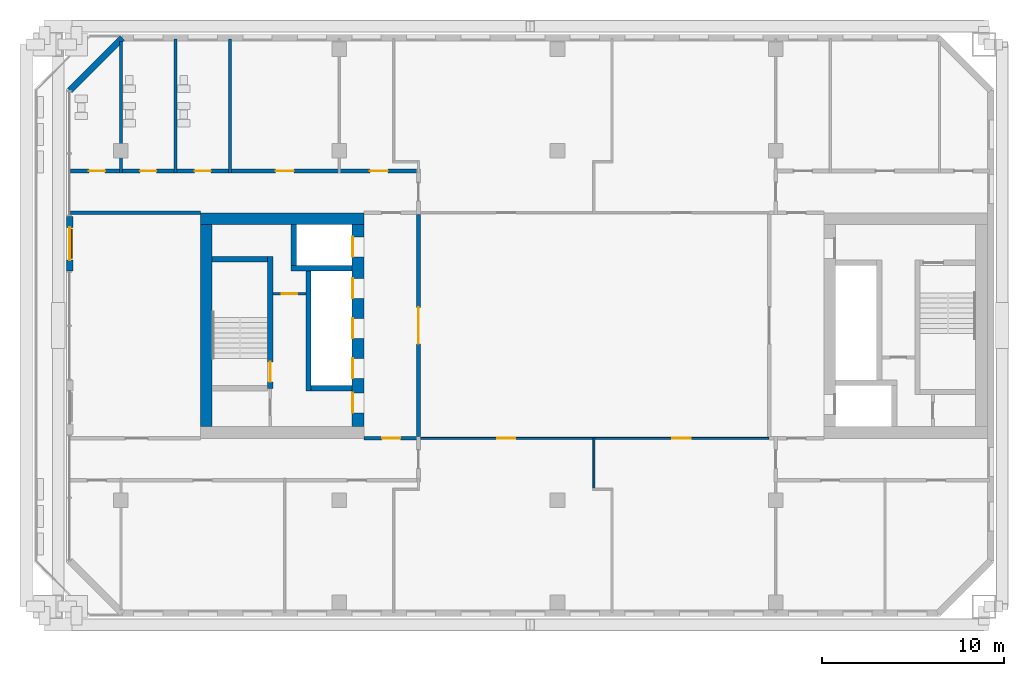
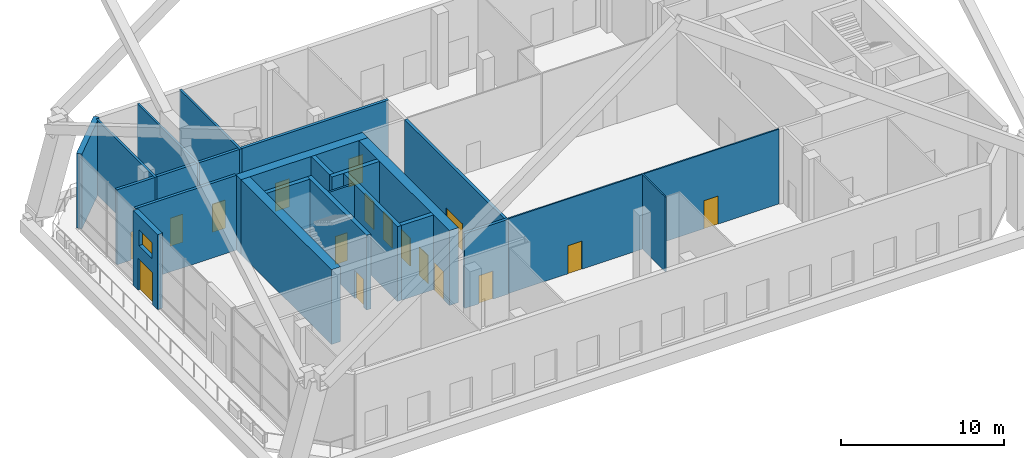
# One storey, part 10 of 20: 21 walls, 17 doors, 1 window, 18 openings.
"""IFC4 building model written with IfcOpenShell, lengths in metres."""

from ifc_helpers import new_model, si_unit, direction, frame, frame_2d, origin, place, context, subcontext, project, spatial, rectangle, extrude, material, layer, layer_set, type_object, element, fill, save


model = new_model("IFC4")

# Units and contexts
model_context = context("Model", 3, precision=1e-05, world=origin(), true_north=direction((0.0, 1.0)))
body_context = subcontext(model_context, "Body", "Model", "MODEL_VIEW")
ifc_project = project(units=[si_unit("LENGTHUNIT", "METRE"), si_unit("AREAUNIT", "SQUARE_METRE"), si_unit("VOLUMEUNIT", "CUBIC_METRE"), si_unit("PLANEANGLEUNIT", "RADIAN"), si_unit("MASSUNIT", "GRAM", prefix="KILO")], contexts=[model_context])

# Site, building, storey
site_placement = place(None, origin())
site = spatial("IfcSite", under=ifc_project, at=site_placement, CompositionType="ELEMENT")
building_placement = place(site_placement, origin())
building = spatial("IfcBuilding", under=site, at=building_placement, Name="Tuart Gate Housing", CompositionType="ELEMENT")
storey_placement = place(building_placement, frame((0.0, 0.0, 90.199951171875)))
storey = spatial("IfcBuildingStorey", under=building, at=storey_placement, Name="L25", CompositionType="ELEMENT", Elevation=90.199951171875)

# Walls
ifc_material_1 = material(Name="Gypsum board on steel studs", Category="steel")
ifc_layer_1 = layer(ifc_material_1, 0.14990234375)
ifc_layer_set_1 = layer_set([ifc_layer_1], Name="Bathroom wall 150")
wall_type_1 = type_object("IfcWallType", Name="Bathroom wall 150", PredefinedType="PLUMBINGWALL", material=ifc_layer_set_1)
wall_1_placement = place(storey_placement, frame((28.0, 78.39990234375, 0.0), z_axis=(0.0, 0.0, 1.0), x_axis=(0.0, 1.0, 0.0)))
element("IfcWall", 1, at=wall_1_placement, inside=storey, type_object=wall_type_1, Name="Bathroom wall 150", PredefinedType="PLUMBINGWALL", context=body_context, shape_type="SweptSolid", body=[
    extrude(rectangle(XDim=7.211181640625, YDim=0.14990234375, at=frame_2d((3.60546875, 0.0))), origin(), (0.0, 0.0, 1.0), 5.60009765625),
])
for number, where, z_axis, x_axis, name in (
    (2, (31.0, 78.39990234375, 0.0), (0.0, 0.0, 1.0), (0.0, 1.0, 0.0), "Bathroom wall 150"),
    (3, (34.0, 78.39990234375, 0.0), (0.0, 0.0, 1.0), (0.0, 1.0, 0.0), "Bathroom wall 150"),
):
    element("IfcWall", number, at=place(storey_placement, frame(where, z_axis=z_axis, x_axis=x_axis)), inside=storey, type_object=wall_type_1, Name=name, PredefinedType="PLUMBINGWALL", context=body_context, shape_type="SweptSolid", body=[
        extrude(rectangle(XDim=7.360107421875, YDim=0.14990234375, at=frame_2d((3.68017578125, 0.0))), origin(), (0.0, 0.0, 1.0), 5.60009765625),
    ])
ifc_material_2 = material(Name="Brick", Category="masonry")
ifc_layer_2 = layer(ifc_material_2, 0.360107421875)
ifc_layer_set_2 = layer_set([ifc_layer_2], Name="Brick pier and spandrel wall 360")
wall_type_2 = type_object("IfcWallType", Name="Brick pier and spandrel wall 360", PredefinedType="STANDARD", material=ifc_layer_set_2)
wall_2_placement = place(storey_placement, frame((28.07470703125, 85.820068359375, 0.0), z_axis=(0.0, 0.0, 1.0), x_axis=(-0.707106781187, -0.707106781187, 0.0)))
element("IfcWall", 4, at=wall_2_placement, inside=storey, type_object=wall_type_2, Name="External wall A-NW L25", PredefinedType="STANDARD", context=body_context, shape_type="SweptSolid", body=[
    extrude(rectangle(XDim=4.09375, YDim=0.360107421875, at=frame_2d((2.046875, 0.0))), origin(), (0.0, 0.0, 1.0), 5.60009765625),
])

# Wall, openings, door, window
wall_3_placement = place(storey_placement, frame((25.179931640625, 76.0, 0.0), z_axis=(0.0, 0.0, 1.0), x_axis=(0.0, -1.0, 0.0)))
wall_3 = element("IfcWall", 5, at=wall_3_placement, inside=storey, type_object=wall_type_2, Name="External wall A-W L25", PredefinedType="STANDARD", context=body_context, shape_type="SweptSolid", body=[
    extrude(rectangle(XDim=3.0, YDim=0.360107421875, at=frame_2d((1.5, 0.0))), origin(), (0.0, 0.0, 1.0), 5.60009765625),
])
opening_1_placement = place(wall_3_placement, frame((0.699951171875, 0.0, 3.39990234375)))
opening_1 = element("IfcOpeningElement", 6, at=opening_1_placement, cuts=wall_3, Name="Opening W3", PredefinedType="OPENING", context=body_context, shape_type="SweptSolid", body=[
    extrude(rectangle(XDim=1.60009765625, YDim=1.199951171875, at=frame_2d((0.800048828125, 0.60009765625))), frame((0.0, 0.18994140625, 0.0), z_axis=(0.0, -1.0, 0.0), x_axis=(1.0, 0.0, 0.0)), (0.0, 0.0, 1.0), 0.380126953125),
])
opening_2_placement = place(wall_3_placement, frame((0.60009765625, 0.0, 0.0)))
opening_2 = element("IfcOpeningElement", 7, at=opening_2_placement, cuts=wall_3, Name="Opening D2868", PredefinedType="OPENING", context=body_context, shape_type="SweptSolid", body=[
    extrude(rectangle(XDim=1.800048828125, YDim=2.39990234375, at=frame_2d((0.89990234375, 1.199951171875))), frame((0.0, 0.18994140625, 0.0), z_axis=(0.0, -1.0, 0.0), x_axis=(1.0, 0.0, 0.0)), (0.0, 0.0, 1.0), 0.380126953125),
])
ifc_material_3 = material(Name="Aluminium framed glazed door", Category="aluminium")
door_type_1 = type_object("IfcDoorType", Name="Entrance door 1800 x 2400", OperationType="DOUBLE_DOOR_SINGLE_SWING", PredefinedType="DOOR", material=ifc_material_3)
door_1_placement = place(opening_2_placement, frame((1.800048828125, 0.0, 0.0), z_axis=(0.0, 0.0, 1.0), x_axis=(-1.0, 0.0, 0.0)))
door_1 = element("IfcDoor", 8, at=door_1_placement, inside=storey, type_object=door_type_1, Name="Leg A terrace door L25 1", OperationType="DOUBLE_DOOR_SINGLE_SWING", OverallHeight=2.39990234375, OverallWidth=1.800048828125, PredefinedType="DOOR", context=body_context, shape_type="SweptSolid", body=[
    extrude(rectangle(XDim=1.800048828125, YDim=2.39990234375, at=frame_2d((0.900146484375, 1.199951171875))), frame((0.0, 0.025146484375, 0.0), z_axis=(0.0, -1.0, 0.0), x_axis=(1.0, 0.0, 0.0)), (0.0, 0.0, 1.0), 0.050048828125),
])
fill(opening_2, door_1)
ifc_material_4 = material(Name="Aluminium louvre blades", Category="aluminium")
window_type = type_object("IfcWindowType", Name="Louvre window 1600 x 1200", PartitioningType="DOUBLE_PANEL_HORIZONTAL", PredefinedType="WINDOW", material=ifc_material_4)
window_placement = place(opening_1_placement, origin())
window = element("IfcWindow", 9, at=window_placement, inside=storey, type_object=window_type, Name="Louvre W3", OverallHeight=1.199951171875, OverallWidth=1.60009765625, PartitioningType="DOUBLE_PANEL_HORIZONTAL", PredefinedType="WINDOW", context=body_context, shape_type="SweptSolid", body=[
    extrude(rectangle(XDim=1.60009765625, YDim=1.199951171875, at=frame_2d((0.800048828125, 0.60009765625))), frame((0.0, 0.150146484375, 0.0), z_axis=(0.0, -1.0, 0.0), x_axis=(1.0, 0.0, 0.0)), (0.0, 0.0, 1.0), 0.06005859375),
])
fill(opening_1, window)

# Wall, opening, door
ifc_material_5 = material(Name="Plasterboard partition")
ifc_layer_3 = layer(ifc_material_5, 0.14990234375)
ifc_layer_set_3 = layer_set([ifc_layer_3], Name="Core partition 150")
wall_type_3 = type_object("IfcWallType", Name="Core partition 150", PredefinedType="PARTITIONING", material=ifc_layer_set_3)
wall_4_placement = place(storey_placement, frame((38.159912109375, 71.75, 0.0), z_axis=(0.0, 0.0, 1.0), x_axis=(-1.0, 0.0, 0.0)))
wall_4 = element("IfcWall", 10, at=wall_4_placement, inside=storey, type_object=wall_type_3, Name="Core partition AK.3", PredefinedType="PARTITIONING", context=body_context, shape_type="SweptSolid", body=[
    extrude(rectangle(XDim=1.7998046875, YDim=0.14990234375, at=frame_2d((0.89990234375, 0.0))), origin(), (0.0, 0.0, 1.0), 5.60009765625),
])
opening_3_placement = place(wall_4_placement, frame((0.47509765625, 0.0, 0.0)))
opening_3 = element("IfcOpeningElement", 11, at=opening_3_placement, cuts=wall_4, Name="Opening D2870", PredefinedType="OPENING", context=body_context, shape_type="SweptSolid", body=[
    extrude(rectangle(XDim=0.85009765625, YDim=2.10009765625, at=frame_2d((0.425048828125, 1.050048828125))), frame((0.0, 0.0849609375, 0.0), z_axis=(0.0, -1.0, 0.0), x_axis=(1.0, 0.0, 0.0)), (0.0, 0.0, 1.0), 0.169921875),
])
ifc_material_6 = material(Name="Steel fire door", Category="steel")
door_type_2 = type_object("IfcDoorType", Name="Riser door 850 x 2100 RH", OperationType="SINGLE_SWING_RIGHT", PredefinedType="DOOR", material=ifc_material_6)
door_2_placement = place(opening_3_placement, frame((0.85009765625, 0.0, 0.0), z_axis=(0.0, 0.0, 1.0), x_axis=(-1.0, 0.0, 0.0)))
door_2 = element("IfcDoor", 12, at=door_2_placement, inside=storey, type_object=door_type_2, Name="Service room door AK.E1", OperationType="SINGLE_SWING_RIGHT", OverallHeight=2.10009765625, OverallWidth=0.85009765625, PredefinedType="DOOR", context=body_context, shape_type="SweptSolid", body=[
    extrude(rectangle(XDim=0.85009765625, YDim=2.10009765625, at=frame_2d((0.425048828125, 1.050048828125))), frame((0.0, 0.025146484375, 0.0), z_axis=(0.0, -1.0, 0.0), x_axis=(1.0, 0.0, 0.0)), (0.0, 0.0, 1.0), 0.050048828125),
])
fill(opening_3, door_2)

# Walls
ifc_material_7 = material(Name="Concrete C50", Category="concrete")
ifc_layer_4 = layer(ifc_material_7, 0.300048828125)
ifc_layer_set_4 = layer_set([ifc_layer_4], Name="Core wall 300 C50")
wall_type_4 = type_object("IfcWallType", Name="Core wall 300 C50", PredefinedType="SHEAR", material=ifc_layer_set_4)
wall_5_placement = place(storey_placement, frame((36.06005859375, 73.64990234375, 0.0), z_axis=(0.0, 0.0, 1.0), x_axis=(-1.0, 0.0, 0.0)))
element("IfcWall", 13, at=wall_5_placement, inside=storey, type_object=wall_type_4, Name="Core wall AK.1", PredefinedType="SHEAR", context=body_context, shape_type="SweptSolid", body=[
    extrude(rectangle(XDim=3.050048828125, YDim=0.300048828125, at=frame_2d((1.52490234375, 0.0))), origin(), (0.0, 0.0, 1.0), 5.60009765625),
])
wall_6_placement = place(storey_placement, frame((40.7099609375, 73.14990234375, 0.0), z_axis=(0.0, 0.0, 1.0), x_axis=(-1.0, 0.0, 0.0)))
element("IfcWall", 14, at=wall_6_placement, inside=storey, type_object=wall_type_4, Name="Core wall AK.2", PredefinedType="SHEAR", context=body_context, shape_type="SweptSolid", body=[
    extrude(rectangle(XDim=3.369873046875, YDim=0.300048828125, at=frame_2d((1.68505859375, 0.0))), origin(), (0.0, 0.0, 1.0), 5.60009765625),
])
wall_7_placement = place(storey_placement, frame((40.7099609375, 66.550048828125, 0.0), z_axis=(0.0, 0.0, 1.0), x_axis=(-1.0, 0.0, 0.0)))
element("IfcWall", 15, at=wall_7_placement, inside=storey, type_object=wall_type_4, Name="Core wall AK.4", PredefinedType="SHEAR", context=body_context, shape_type="SweptSolid", body=[
    extrude(rectangle(XDim=2.25, YDim=0.300048828125, at=frame_2d((1.125, 0.0))), origin(), (0.0, 0.0, 1.0), 5.60009765625),
])
wall_8_placement = place(storey_placement, frame((38.31005859375, 73.0, 0.0), z_axis=(0.0, 0.0, 1.0), x_axis=(0.0, -1.0, 0.0)))
element("IfcWall", 16, at=wall_8_placement, inside=storey, type_object=wall_type_4, Name="Core wall AK.6", PredefinedType="SHEAR", context=body_context, shape_type="SweptSolid", body=[
    extrude(rectangle(XDim=6.60009765625, YDim=0.300048828125, at=frame_2d((3.300048828125, 0.0))), origin(), (0.0, 0.0, 1.0), 5.60009765625),
])
wall_9_placement = place(storey_placement, frame((37.489990234375, 75.550048828125, 0.0), z_axis=(0.0, 0.0, 1.0), x_axis=(0.0, -1.0, 0.0)))
element("IfcWall", 17, at=wall_9_placement, inside=storey, type_object=wall_type_4, Name="Core wall AK.7", PredefinedType="SHEAR", context=body_context, shape_type="SweptSolid", body=[
    extrude(rectangle(XDim=2.25, YDim=0.300048828125, at=frame_2d((1.125, 0.0))), origin(), (0.0, 0.0, 1.0), 5.60009765625),
])

# Wall, opening, door
wall_10_placement = place(storey_placement, frame((36.2099609375, 73.800048828125, 0.0), z_axis=(0.0, 0.0, 1.0), x_axis=(0.0, -1.0, 0.0)))
wall_10 = element("IfcWall", 18, at=wall_10_placement, inside=storey, type_object=wall_type_4, Name="Core wall AK.8", PredefinedType="SHEAR", context=body_context, shape_type="SweptSolid", body=[
    extrude(rectangle(XDim=7.25, YDim=0.300048828125, at=frame_2d((3.625, 0.0))), origin(), (0.0, 0.0, 1.0), 5.60009765625),
])
opening_4_placement = place(wall_10_placement, frame((5.800048828125, 0.0, 0.0)))
opening_4 = element("IfcOpeningElement", 19, at=opening_4_placement, cuts=wall_10, Name="Opening D2871", PredefinedType="OPENING", context=body_context, shape_type="SweptSolid", body=[
    extrude(rectangle(XDim=1.10009765625, YDim=2.10009765625, at=frame_2d((0.550048828125, 1.050048828125))), frame((0.0, 0.159912109375, 0.0), z_axis=(0.0, -1.0, 0.0), x_axis=(1.0, 0.0, 0.0)), (0.0, 0.0, 1.0), 0.320068359375),
])
ifc_material_8 = material(Name="Steel fire door", Category="steel")
door_type_3 = type_object("IfcDoorType", Name="Stair door 1100 x 2100", OperationType="SINGLE_SWING_LEFT", PredefinedType="DOOR", material=ifc_material_8)
door_3_placement = place(opening_4_placement, frame((1.10009765625, 0.0, 0.0), z_axis=(0.0, 0.0, 1.0), x_axis=(-1.0, 0.0, 0.0)))
door_3 = element("IfcDoor", 20, at=door_3_placement, inside=storey, type_object=door_type_3, Name="Stair door AK.SD", OperationType="SINGLE_SWING_LEFT", OverallHeight=2.10009765625, OverallWidth=1.10009765625, PredefinedType="DOOR", context=body_context, shape_type="SweptSolid", body=[
    extrude(rectangle(XDim=1.10009765625, YDim=2.10009765625, at=frame_2d((0.550048828125, 1.050048828125))), frame((0.0, 0.025146484375, 0.0), z_axis=(0.0, -1.0, 0.0), x_axis=(1.0, 0.0, 0.0)), (0.0, 0.0, 1.0), 0.050048828125),
])
fill(opening_4, door_3)

# Wall, openings, doors
ifc_material_9 = material(Name="Concrete C50", Category="concrete")
ifc_layer_5 = layer(ifc_material_9, 0.64990234375)
ifc_layer_set_5 = layer_set([ifc_layer_5], Name="Core wall 650 C50")
wall_type_5 = type_object("IfcWallType", Name="Core wall 650 C50", PredefinedType="SHEAR", material=ifc_layer_set_5)
wall_11_placement = place(storey_placement, frame((41.034912109375, 75.550048828125, 0.0), z_axis=(0.0, 0.0, 1.0), x_axis=(0.0, -1.0, 0.0)))
wall_11 = element("IfcWall", 21, at=wall_11_placement, inside=storey, type_object=wall_type_5, Name="Core wall AK front", PredefinedType="SHEAR", context=body_context, shape_type="SweptSolid", body=[
    extrude(rectangle(XDim=11.10009765625, YDim=0.64990234375, at=frame_2d((5.550048828125, 0.0))), origin(), (0.0, 0.0, 1.0), 5.60009765625),
])
opening_5_placement = place(wall_11_placement, frame((0.675048828125, 0.0, 0.0)))
opening_5 = element("IfcOpeningElement", 22, at=opening_5_placement, cuts=wall_11, Name="Opening LD-FA2", PredefinedType="OPENING", context=body_context, shape_type="SweptSolid", body=[
    extrude(rectangle(XDim=1.10009765625, YDim=2.10009765625, at=frame_2d((0.550048828125, 1.050048828125))), frame((0.0, 0.3349609375, 0.0), z_axis=(0.0, -1.0, 0.0), x_axis=(1.0, 0.0, 0.0)), (0.0, 0.0, 1.0), 0.669921875),
])
opening_6_placement = place(wall_11_placement, frame((2.949951171875, 0.0, 0.0)))
opening_6 = element("IfcOpeningElement", 23, at=opening_6_placement, cuts=wall_11, Name="Opening LD-LA4", PredefinedType="OPENING", context=body_context, shape_type="SweptSolid", body=[
    extrude(rectangle(XDim=1.10009765625, YDim=2.10009765625, at=frame_2d((0.550048828125, 1.050048828125))), frame((0.0, 0.3349609375, 0.0), z_axis=(0.0, -1.0, 0.0), x_axis=(1.0, 0.0, 0.0)), (0.0, 0.0, 1.0), 0.669921875),
])
opening_7_placement = place(wall_11_placement, frame((5.14990234375, 0.0, 0.0)))
opening_7 = element("IfcOpeningElement", 24, at=opening_7_placement, cuts=wall_11, Name="Opening LD-LA5", PredefinedType="OPENING", context=body_context, shape_type="SweptSolid", body=[
    extrude(rectangle(XDim=1.10009765625, YDim=2.10009765625, at=frame_2d((0.550048828125, 1.050048828125))), frame((0.0, 0.3349609375, 0.0), z_axis=(0.0, -1.0, 0.0), x_axis=(1.0, 0.0, 0.0)), (0.0, 0.0, 1.0), 0.669921875),
])
opening_8_placement = place(wall_11_placement, frame((7.35009765625, 0.0, 0.0)))
opening_8 = element("IfcOpeningElement", 25, at=opening_8_placement, cuts=wall_11, Name="Opening LD-LA6", PredefinedType="OPENING", context=body_context, shape_type="SweptSolid", body=[
    extrude(rectangle(XDim=1.10009765625, YDim=2.10009765625, at=frame_2d((0.550048828125, 1.050048828125))), frame((0.0, 0.3349609375, 0.0), z_axis=(0.0, -1.0, 0.0), x_axis=(1.0, 0.0, 0.0)), (0.0, 0.0, 1.0), 0.669921875),
])
opening_9_placement = place(wall_11_placement, frame((9.25, 0.0, 0.0)))
opening_9 = element("IfcOpeningElement", 26, at=opening_9_placement, cuts=wall_11, Name="Opening D2872", PredefinedType="OPENING", context=body_context, shape_type="SweptSolid", body=[
    extrude(rectangle(XDim=1.10009765625, YDim=2.10009765625, at=frame_2d((0.550048828125, 1.050048828125))), frame((0.0, 0.3349609375, 0.0), z_axis=(0.0, -1.0, 0.0), x_axis=(1.0, 0.0, 0.0)), (0.0, 0.0, 1.0), 0.669921875),
])
ifc_material_10 = material(Name="Stainless steel", Category="steel")
door_type_4 = type_object("IfcDoorType", Name="Landing door 1100 x 2100", OperationType="DOUBLE_DOOR_SLIDING", PredefinedType="DOOR", material=ifc_material_10)
door_4_placement = place(opening_5_placement, origin())
door_4 = element("IfcDoor", 27, at=door_4_placement, inside=storey, type_object=door_type_4, Name="Lift landing door FA2", OperationType="DOUBLE_DOOR_SLIDING", OverallHeight=2.10009765625, OverallWidth=1.10009765625, PredefinedType="DOOR", context=body_context, shape_type="SweptSolid", body=[
    extrude(rectangle(XDim=1.10009765625, YDim=2.10009765625, at=frame_2d((0.550048828125, 1.050048828125))), frame((0.0, -0.259765625, 0.0), z_axis=(0.0, -1.0, 0.0), x_axis=(1.0, 0.0, 0.0)), (0.0, 0.0, 1.0), 0.050048828125),
])
fill(opening_5, door_4)
door_5_placement = place(opening_6_placement, origin())
door_5 = element("IfcDoor", 28, at=door_5_placement, inside=storey, type_object=door_type_4, Name="Lift landing door LA4", OperationType="DOUBLE_DOOR_SLIDING", OverallHeight=2.10009765625, OverallWidth=1.10009765625, PredefinedType="DOOR", context=body_context, shape_type="SweptSolid", body=[
    extrude(rectangle(XDim=1.10009765625, YDim=2.10009765625, at=frame_2d((0.550048828125, 1.050048828125))), frame((0.0, -0.259765625, 0.0), z_axis=(0.0, -1.0, 0.0), x_axis=(1.0, 0.0, 0.0)), (0.0, 0.0, 1.0), 0.050048828125),
])
fill(opening_6, door_5)
door_6_placement = place(opening_7_placement, origin())
door_6 = element("IfcDoor", 29, at=door_6_placement, inside=storey, type_object=door_type_4, Name="Lift landing door LA5", OperationType="DOUBLE_DOOR_SLIDING", OverallHeight=2.10009765625, OverallWidth=1.10009765625, PredefinedType="DOOR", context=body_context, shape_type="SweptSolid", body=[
    extrude(rectangle(XDim=1.10009765625, YDim=2.10009765625, at=frame_2d((0.550048828125, 1.050048828125))), frame((0.0, -0.259765625, 0.0), z_axis=(0.0, -1.0, 0.0), x_axis=(1.0, 0.0, 0.0)), (0.0, 0.0, 1.0), 0.050048828125),
])
fill(opening_7, door_6)
door_7_placement = place(opening_8_placement, origin())
door_7 = element("IfcDoor", 30, at=door_7_placement, inside=storey, type_object=door_type_4, Name="Lift landing door LA6", OperationType="DOUBLE_DOOR_SLIDING", OverallHeight=2.10009765625, OverallWidth=1.10009765625, PredefinedType="DOOR", context=body_context, shape_type="SweptSolid", body=[
    extrude(rectangle(XDim=1.10009765625, YDim=2.10009765625, at=frame_2d((0.550048828125, 1.050048828125))), frame((0.0, -0.259765625, 0.0), z_axis=(0.0, -1.0, 0.0), x_axis=(1.0, 0.0, 0.0)), (0.0, 0.0, 1.0), 0.050048828125),
])
fill(opening_8, door_7)
ifc_material_11 = material(Name="Steel fire door", Category="steel")
door_type_5 = type_object("IfcDoorType", Name="Lobby door 1100 x 2100 RH", OperationType="SINGLE_SWING_RIGHT", PredefinedType="DOOR", material=ifc_material_11)
door_8_placement = place(opening_9_placement, frame((1.10009765625, 0.0, 0.0), z_axis=(0.0, 0.0, 1.0), x_axis=(-1.0, 0.0, 0.0)))
door_8 = element("IfcDoor", 31, at=door_8_placement, inside=storey, type_object=door_type_5, Name="Lobby entry door AK.EN", OperationType="SINGLE_SWING_RIGHT", OverallHeight=2.10009765625, OverallWidth=1.10009765625, PredefinedType="DOOR", context=body_context, shape_type="SweptSolid", body=[
    extrude(rectangle(XDim=1.10009765625, YDim=2.10009765625, at=frame_2d((0.550048828125, 1.050048828125))), frame((0.0, 0.309814453125, 0.0), z_axis=(0.0, -1.0, 0.0), x_axis=(1.0, 0.0, 0.0)), (0.0, 0.0, 1.0), 0.050048828125),
])
fill(opening_9, door_8)

# Walls
wall_12_placement = place(storey_placement, frame((32.68505859375, 75.550048828125, 0.0), z_axis=(0.0, 0.0, 1.0), x_axis=(0.0, -1.0, 0.0)))
element("IfcWall", 32, at=wall_12_placement, inside=storey, type_object=wall_type_5, Name="Core wall AK back", PredefinedType="SHEAR", context=body_context, shape_type="SweptSolid", body=[
    extrude(rectangle(XDim=11.10009765625, YDim=0.64990234375, at=frame_2d((5.550048828125, 0.0))), origin(), (0.0, 0.0, 1.0), 5.60009765625),
])
wall_13_placement = place(storey_placement, frame((41.360107421875, 75.875, 0.0), z_axis=(0.0, 0.0, 1.0), x_axis=(-1.0, 0.0, 0.0)))
element("IfcWall", 33, at=wall_13_placement, inside=storey, type_object=wall_type_5, Name="Core wall AK south", PredefinedType="SHEAR", context=body_context, shape_type="SweptSolid", body=[
    extrude(rectangle(XDim=9.0, YDim=0.64990234375, at=frame_2d((4.5, 0.0))), origin(), (0.0, 0.0, 1.0), 5.60009765625),
])
ifc_material_12 = material(Name="Concrete masonry 15 MPa", Category="masonry")
ifc_layer_6 = layer(ifc_material_12, 0.199951171875)
ifc_layer_set_6 = layer_set([ifc_layer_6], Name="Corridor wall masonry 200")
wall_type_6 = type_object("IfcWallType", Name="Corridor wall masonry 200", PredefinedType="PARTITIONING", material=ifc_layer_set_6)
wall_14_placement = place(storey_placement, frame((25.239990234375, 76.199951171875, 0.0), z_axis=(0.0, 0.0, 1.0), x_axis=(1.0, 0.0, 0.0)))
element("IfcWall", 34, at=wall_14_placement, inside=storey, type_object=wall_type_6, Name="Corridor wall masonry 200", PredefinedType="PARTITIONING", context=body_context, shape_type="SweptSolid", body=[
    extrude(rectangle(XDim=7.1201171875, YDim=0.199951171875, at=frame_2d((3.56005859375, 0.0))), origin(), (0.0, 0.0, 1.0), 5.60009765625),
])

# Wall, openings, doors
wall_15_placement = place(storey_placement, frame((25.239990234375, 78.5, 0.0), z_axis=(0.0, 0.0, 1.0), x_axis=(1.0, 0.0, 0.0)))
wall_15 = element("IfcWall", 35, at=wall_15_placement, inside=storey, type_object=wall_type_6, Name="Corridor wall masonry 200", PredefinedType="PARTITIONING", context=body_context, shape_type="SweptSolid", body=[
    extrude(rectangle(XDim=19.219970703125, YDim=0.199951171875, at=frame_2d((9.60986328125, 0.0))), origin(), (0.0, 0.0, 1.0), 5.60009765625),
])
opening_10_placement = place(wall_15_placement, frame((0.989990234375, 0.0, 0.0)))
opening_10 = element("IfcOpeningElement", 36, at=opening_10_placement, cuts=wall_15, Name="Opening D2856", PredefinedType="OPENING", context=body_context, shape_type="SweptSolid", body=[
    extrude(rectangle(XDim=0.89990234375, YDim=2.10009765625, at=frame_2d((0.449951171875, 1.050048828125))), frame((0.0, 0.10986328125, 0.0), z_axis=(0.0, -1.0, 0.0), x_axis=(1.0, 0.0, 0.0)), (0.0, 0.0, 1.0), 0.219970703125),
])
opening_11_placement = place(wall_15_placement, frame((3.81005859375, 0.0, 0.0)))
opening_11 = element("IfcOpeningElement", 37, at=opening_11_placement, cuts=wall_15, Name="Opening D2857", PredefinedType="OPENING", context=body_context, shape_type="SweptSolid", body=[
    extrude(rectangle(XDim=0.89990234375, YDim=2.10009765625, at=frame_2d((0.449951171875, 1.050048828125))), frame((0.0, 0.10986328125, 0.0), z_axis=(0.0, -1.0, 0.0), x_axis=(1.0, 0.0, 0.0)), (0.0, 0.0, 1.0), 0.219970703125),
])
opening_12_placement = place(wall_15_placement, frame((6.81005859375, 0.0, 0.0)))
opening_12 = element("IfcOpeningElement", 38, at=opening_12_placement, cuts=wall_15, Name="Opening D2858", PredefinedType="OPENING", context=body_context, shape_type="SweptSolid", body=[
    extrude(rectangle(XDim=0.89990234375, YDim=2.10009765625, at=frame_2d((0.449951171875, 1.050048828125))), frame((0.0, 0.10986328125, 0.0), z_axis=(0.0, -1.0, 0.0), x_axis=(1.0, 0.0, 0.0)), (0.0, 0.0, 1.0), 0.219970703125),
])
opening_13_placement = place(wall_15_placement, frame((11.260009765625, 0.0, 0.0)))
opening_13 = element("IfcOpeningElement", 39, at=opening_13_placement, cuts=wall_15, Name="Opening D2854", PredefinedType="OPENING", context=body_context, shape_type="SweptSolid", body=[
    extrude(rectangle(XDim=1.0, YDim=2.10009765625, at=frame_2d((0.5, 1.050048828125))), frame((0.0, 0.10986328125, 0.0), z_axis=(0.0, -1.0, 0.0), x_axis=(1.0, 0.0, 0.0)), (0.0, 0.0, 1.0), 0.219970703125),
])
opening_14_placement = place(wall_15_placement, frame((16.43994140625, 0.0, 0.0)))
opening_14 = element("IfcOpeningElement", 40, at=opening_14_placement, cuts=wall_15, Name="Opening D2855", PredefinedType="OPENING", context=body_context, shape_type="SweptSolid", body=[
    extrude(rectangle(XDim=1.0, YDim=2.10009765625, at=frame_2d((0.5, 1.050048828125))), frame((0.0, 0.10986328125, 0.0), z_axis=(0.0, -1.0, 0.0), x_axis=(1.0, 0.0, 0.0)), (0.0, 0.0, 1.0), 0.219970703125),
])
ifc_material_13 = material(Name="Timber door leaf in steel frame", Category="steel")
door_type_6 = type_object("IfcDoorType", Name="Fire door 1000", OperationType="SINGLE_SWING_LEFT", PredefinedType="DOOR", material=ifc_material_13)
door_9_placement = place(opening_13_placement, origin())
door_9 = element("IfcDoor", 41, at=door_9_placement, inside=storey, type_object=door_type_6, Name="Fire door 1000", OperationType="SINGLE_SWING_LEFT", OverallHeight=2.10009765625, OverallWidth=1.0, PredefinedType="DOOR", context=body_context, shape_type="SweptSolid", body=[
    extrude(rectangle(XDim=1.0, YDim=2.10009765625, at=frame_2d((0.5, 1.050048828125))), frame((0.0, 0.02490234375, 0.0), z_axis=(0.0, -1.0, 0.0), x_axis=(1.0, 0.0, 0.0)), (0.0, 0.0, 1.0), 0.050048828125),
])
fill(opening_13, door_9)
door_10_placement = place(opening_14_placement, origin())
door_10 = element("IfcDoor", 42, at=door_10_placement, inside=storey, type_object=door_type_6, Name="Fire door 1000", OperationType="SINGLE_SWING_LEFT", OverallHeight=2.10009765625, OverallWidth=1.0, PredefinedType="DOOR", context=body_context, shape_type="SweptSolid", body=[
    extrude(rectangle(XDim=1.0, YDim=2.10009765625, at=frame_2d((0.5, 1.050048828125))), frame((0.0, 0.02490234375, 0.0), z_axis=(0.0, -1.0, 0.0), x_axis=(1.0, 0.0, 0.0)), (0.0, 0.0, 1.0), 0.050048828125),
])
fill(opening_14, door_10)
ifc_material_14 = material(Name="Timber door leaf in steel frame", Category="steel")
door_type_7 = type_object("IfcDoorType", Name="Fire door 900", OperationType="SINGLE_SWING_LEFT", PredefinedType="DOOR", material=ifc_material_14)
door_11_placement = place(opening_11_placement, origin())
door_11 = element("IfcDoor", 43, at=door_11_placement, inside=storey, type_object=door_type_7, Name="Fire door 900", OperationType="SINGLE_SWING_LEFT", OverallHeight=2.10009765625, OverallWidth=0.89990234375, PredefinedType="DOOR", context=body_context, shape_type="SweptSolid", body=[
    extrude(rectangle(XDim=0.89990234375, YDim=2.10009765625, at=frame_2d((0.449951171875, 1.050048828125))), frame((0.0, 0.02490234375, 0.0), z_axis=(0.0, -1.0, 0.0), x_axis=(1.0, 0.0, 0.0)), (0.0, 0.0, 1.0), 0.050048828125),
])
fill(opening_11, door_11)
door_12_placement = place(opening_12_placement, origin())
door_12 = element("IfcDoor", 44, at=door_12_placement, inside=storey, type_object=door_type_7, Name="Fire door 900", OperationType="SINGLE_SWING_LEFT", OverallHeight=2.10009765625, OverallWidth=0.89990234375, PredefinedType="DOOR", context=body_context, shape_type="SweptSolid", body=[
    extrude(rectangle(XDim=0.89990234375, YDim=2.10009765625, at=frame_2d((0.449951171875, 1.050048828125))), frame((0.0, 0.02490234375, 0.0), z_axis=(0.0, -1.0, 0.0), x_axis=(1.0, 0.0, 0.0)), (0.0, 0.0, 1.0), 0.050048828125),
])
fill(opening_12, door_12)
ifc_material_15 = material(Name="Timber door leaf in steel frame", Category="steel")
door_type_8 = type_object("IfcDoorType", Name="Fire door 900 RH", OperationType="SINGLE_SWING_RIGHT", PredefinedType="DOOR", material=ifc_material_15)
door_13_placement = place(opening_10_placement, origin())
door_13 = element("IfcDoor", 45, at=door_13_placement, inside=storey, type_object=door_type_8, Name="Fire door 900", OperationType="SINGLE_SWING_RIGHT", OverallHeight=2.10009765625, OverallWidth=0.89990234375, PredefinedType="DOOR", context=body_context, shape_type="SweptSolid", body=[
    extrude(rectangle(XDim=0.89990234375, YDim=2.10009765625, at=frame_2d((0.449951171875, 1.050048828125))), frame((0.0, 0.02490234375, 0.0), z_axis=(0.0, -1.0, 0.0), x_axis=(1.0, 0.0, 0.0)), (0.0, 0.0, 1.0), 0.050048828125),
])
fill(opening_10, door_13)

# Wall, opening, door
ifc_material_16 = material(Name="Concrete masonry 15 MPa", Category="masonry")
ifc_layer_7 = layer(ifc_material_16, 0.199951171875)
ifc_layer_set_7 = layer_set([ifc_layer_7], Name="Enclosure wall masonry 200")
wall_type_7 = type_object("IfcWallType", Name="Enclosure wall masonry 200", PredefinedType="PARTITIONING", material=ifc_layer_set_7)
wall_16_placement = place(storey_placement, frame((41.360107421875, 63.800048828125, 0.0), z_axis=(0.0, 0.0, 1.0), x_axis=(1.0, 0.0, 0.0)))
wall_16 = element("IfcWall", 46, at=wall_16_placement, inside=storey, type_object=wall_type_7, Name="Enclosure wall masonry 200", PredefinedType="PARTITIONING", context=body_context, shape_type="SweptSolid", body=[
    extrude(rectangle(XDim=3.099853515625, YDim=0.199951171875, at=frame_2d((1.5498046875, 0.0))), origin(), (0.0, 0.0, 1.0), 5.60009765625),
])
opening_15_placement = place(wall_16_placement, frame((1.0, 0.0, 0.0)))
opening_15 = element("IfcOpeningElement", 47, at=opening_15_placement, cuts=wall_16, Name="Opening D2881", PredefinedType="OPENING", context=body_context, shape_type="SweptSolid", body=[
    extrude(rectangle(XDim=1.0, YDim=2.10009765625, at=frame_2d((0.5, 1.050048828125))), frame((0.0, 0.10986328125, 0.0), z_axis=(0.0, -1.0, 0.0), x_axis=(1.0, 0.0, 0.0)), (0.0, 0.0, 1.0), 0.219970703125),
])
ifc_material_17 = material(Name="Timber door leaf in steel frame", Category="steel")
door_type_9 = type_object("IfcDoorType", Name="Lobby door 1000", OperationType="SINGLE_SWING_LEFT", PredefinedType="DOOR", material=ifc_material_17)
door_14_placement = place(opening_15_placement, frame((1.0, 0.0, 0.0), z_axis=(0.0, 0.0, 1.0), x_axis=(-1.0, 0.0, 0.0)))
door_14 = element("IfcDoor", 48, at=door_14_placement, inside=storey, type_object=door_type_9, Name="Lobby door 1000", OperationType="SINGLE_SWING_LEFT", OverallHeight=2.10009765625, OverallWidth=1.0, PredefinedType="DOOR", context=body_context, shape_type="SweptSolid", body=[
    extrude(rectangle(XDim=1.0, YDim=2.10009765625, at=frame_2d((0.5, 1.050048828125))), frame((0.0, 0.025146484375, 0.0), z_axis=(0.0, -1.0, 0.0), x_axis=(1.0, 0.0, 0.0)), (0.0, 0.0, 1.0), 0.050048828125),
])
fill(opening_15, door_14)

ifc_material_18 = material(Name="Plasterboard partition")
ifc_layer_8 = layer(ifc_material_18, 0.199951171875)
ifc_layer_set_8 = layer_set([ifc_layer_8], Name="Lobby wall 200")
wall_type_8 = type_object("IfcWallType", Name="Lobby wall 200", PredefinedType="PARTITIONING", material=ifc_layer_set_8)
wall_17_placement = place(storey_placement, frame((44.360107421875, 63.89990234375, 0.0), z_axis=(0.0, 0.0, 1.0), x_axis=(0.0, 1.0, 0.0)))
wall_17 = element("IfcWall", 49, at=wall_17_placement, inside=storey, type_object=wall_type_8, Name="Lift lobby wall AK", PredefinedType="PARTITIONING", context=body_context, shape_type="SweptSolid", body=[
    extrude(rectangle(XDim=12.2001953125, YDim=0.199951171875, at=frame_2d((6.10009765625, 0.0))), origin(), (0.0, 0.0, 1.0), 5.60009765625),
])
opening_16_placement = place(wall_17_placement, frame((5.10009765625, 0.0, 0.0)))
opening_16 = element("IfcOpeningElement", 50, at=opening_16_placement, cuts=wall_17, Name="Opening D2873", PredefinedType="OPENING", context=body_context, shape_type="SweptSolid", body=[
    extrude(rectangle(XDim=2.0, YDim=2.10009765625, at=frame_2d((1.0, 1.050048828125))), frame((0.0, 0.10986328125, 0.0), z_axis=(0.0, -1.0, 0.0), x_axis=(1.0, 0.0, 0.0)), (0.0, 0.0, 1.0), 0.219970703125),
])
ifc_material_19 = material(Name="Steel fire door", Category="steel")
door_type_10 = type_object("IfcDoorType", Name="Smoke door 2000 x 2100", OperationType="DOUBLE_DOOR_SINGLE_SWING", PredefinedType="DOOR", material=ifc_material_19)
door_15_placement = place(opening_16_placement, origin())
door_15 = element("IfcDoor", 51, at=door_15_placement, inside=storey, type_object=door_type_10, Name="Lift lobby smoke door AK", OperationType="DOUBLE_DOOR_SINGLE_SWING", OverallHeight=2.10009765625, OverallWidth=2.0, PredefinedType="DOOR", context=body_context, shape_type="SweptSolid", body=[
    extrude(rectangle(XDim=2.0, YDim=2.10009765625, at=frame_2d((1.0, 1.050048828125))), frame((0.0, 0.02490234375, 0.0), z_axis=(0.0, -1.0, 0.0), x_axis=(1.0, 0.0, 0.0)), (0.0, 0.0, 1.0), 0.050048828125),
])
fill(opening_16, door_15)

# Wall, openings, doors
ifc_material_20 = material(Name="Gypsum board on steel studs", Category="steel")
ifc_layer_9 = layer(ifc_material_20, 0.10009765625)
ifc_layer_set_9 = layer_set([ifc_layer_9], Name="Partition 100")
wall_type_9 = type_object("IfcWallType", Name="Partition 100", PredefinedType="PARTITIONING", material=ifc_layer_set_9)
wall_18_placement = place(storey_placement, frame((44.260009765625, 63.800048828125, 0.0), z_axis=(0.0, 0.0, 1.0), x_axis=(1.0, 0.0, 0.0)))
wall_18 = element("IfcWall", 52, at=wall_18_placement, inside=storey, type_object=wall_type_9, Name="Partition 100", PredefinedType="PARTITIONING", context=body_context, shape_type="SweptSolid", body=[
    extrude(rectangle(XDim=19.3798828125, YDim=0.10009765625, at=frame_2d((9.68994140625, 0.0))), origin(), (0.0, 0.0, 1.0), 5.60009765625),
])
opening_17_placement = place(wall_18_placement, frame((4.419921875, 0.0, 0.0)))
opening_17 = element("IfcOpeningElement", 53, at=opening_17_placement, cuts=wall_18, Name="Opening D2882", PredefinedType="OPENING", context=body_context, shape_type="SweptSolid", body=[
    extrude(rectangle(XDim=1.0, YDim=2.10009765625, at=frame_2d((0.5, 1.050048828125))), frame((0.0, 0.06005859375, 0.0), z_axis=(0.0, -1.0, 0.0), x_axis=(1.0, 0.0, 0.0)), (0.0, 0.0, 1.0), 0.1201171875),
])
opening_18_placement = place(wall_18_placement, frame((14.06005859375, 0.0, 0.0)))
opening_18 = element("IfcOpeningElement", 54, at=opening_18_placement, cuts=wall_18, Name="Opening D2883", PredefinedType="OPENING", context=body_context, shape_type="SweptSolid", body=[
    extrude(rectangle(XDim=1.0, YDim=2.10009765625, at=frame_2d((0.5, 1.050048828125))), frame((0.0, 0.06005859375, 0.0), z_axis=(0.0, -1.0, 0.0), x_axis=(1.0, 0.0, 0.0)), (0.0, 0.0, 1.0), 0.1201171875),
])
ifc_material_21 = material(Name="Timber door leaf in steel frame", Category="steel")
door_type_11 = type_object("IfcDoorType", Name="Internal door 1000 RH", OperationType="SINGLE_SWING_RIGHT", PredefinedType="DOOR", material=ifc_material_21)
door_16_placement = place(opening_17_placement, frame((1.0, 0.0, 0.0), z_axis=(0.0, 0.0, 1.0), x_axis=(-1.0, 0.0, 0.0)))
door_16 = element("IfcDoor", 55, at=door_16_placement, inside=storey, type_object=door_type_11, Name="Internal door 1000", OperationType="SINGLE_SWING_RIGHT", OverallHeight=2.10009765625, OverallWidth=1.0, PredefinedType="DOOR", context=body_context, shape_type="SweptSolid", body=[
    extrude(rectangle(XDim=1.0, YDim=2.10009765625, at=frame_2d((0.5, 1.050048828125))), frame((0.0, 0.025146484375, 0.0), z_axis=(0.0, -1.0, 0.0), x_axis=(1.0, 0.0, 0.0)), (0.0, 0.0, 1.0), 0.050048828125),
])
fill(opening_17, door_16)
door_17_placement = place(opening_18_placement, frame((1.0, 0.0, 0.0), z_axis=(0.0, 0.0, 1.0), x_axis=(-1.0, 0.0, 0.0)))
door_17 = element("IfcDoor", 56, at=door_17_placement, inside=storey, type_object=door_type_11, Name="Internal door 1000", OperationType="SINGLE_SWING_RIGHT", OverallHeight=2.10009765625, OverallWidth=1.0, PredefinedType="DOOR", context=body_context, shape_type="SweptSolid", body=[
    extrude(rectangle(XDim=1.0, YDim=2.10009765625, at=frame_2d((0.5, 1.050048828125))), frame((0.0, 0.025146484375, 0.0), z_axis=(0.0, -1.0, 0.0), x_axis=(1.0, 0.0, 0.0)), (0.0, 0.0, 1.0), 0.050048828125),
])
fill(opening_18, door_17)

# Wall
wall_19_placement = place(storey_placement, frame((54.0, 60.949951171875, 0.0), z_axis=(0.0, 0.0, 1.0), x_axis=(0.0, 1.0, 0.0)))
element("IfcWall", 57, at=wall_19_placement, inside=storey, type_object=wall_type_9, Name="Partition 100", PredefinedType="PARTITIONING", context=body_context, shape_type="SweptSolid", body=[
    extrude(rectangle(XDim=2.900146484375, YDim=0.10009765625, at=frame_2d((1.4501953125, 0.0))), origin(), (0.0, 0.0, 1.0), 5.60009765625),
])

save(model, "model.ifc")
